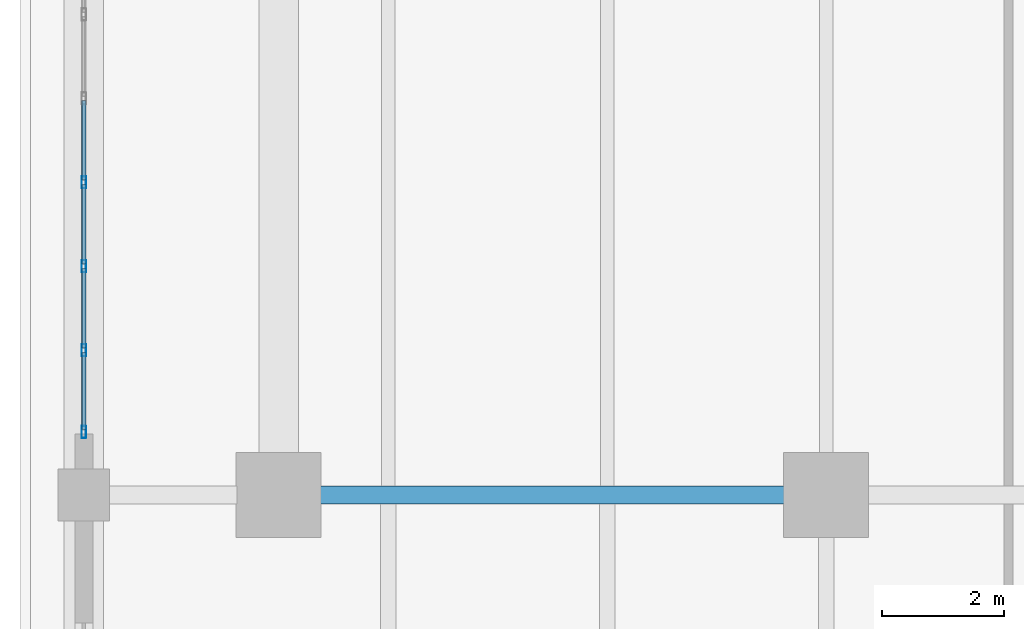
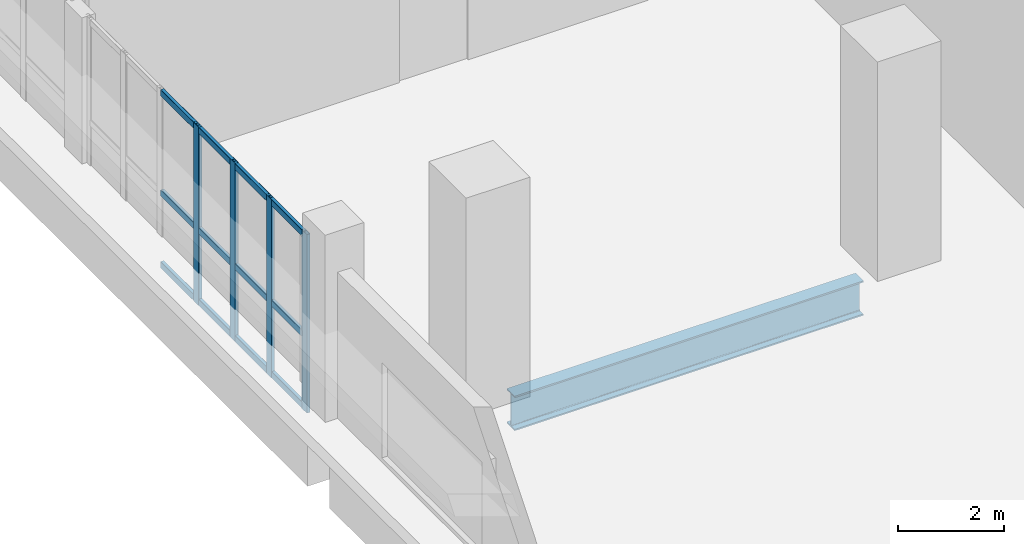
# One storey, part 4 of 25: 16 members, 1 beam, 1 element without a shape of its own.
"""IFC4 building model written with IfcOpenShell, lengths in metres."""

from ifc_helpers import new_model, si_unit, direction, frame, origin, origin_2d, place, context, subcontext, project, spatial, hollow_rectangle, i_section, extrude, material, layer, layer_set, material_profile, profile_set, type_object, element, aggregate, save


model = new_model("IFC4")

# Units and contexts
model_context = context("Model", 3, precision=1e-05, world=origin(), true_north=direction((0.0, 1.0)))
body_context = subcontext(model_context, "Body", "Model", "MODEL_VIEW")
ifc_project = project(units=[si_unit("LENGTHUNIT", "METRE"), si_unit("AREAUNIT", "SQUARE_METRE"), si_unit("VOLUMEUNIT", "CUBIC_METRE"), si_unit("PLANEANGLEUNIT", "RADIAN"), si_unit("MASSUNIT", "GRAM", prefix="KILO")], contexts=[model_context])

# Site, building, storey
site_placement = place(None, origin())
site = spatial("IfcSite", under=ifc_project, at=site_placement, CompositionType="ELEMENT")
building_placement = place(site_placement, origin())
building = spatial("IfcBuilding", under=site, at=building_placement, Name="Kaelvorn Grand Hotel", CompositionType="ELEMENT")
storey_placement = place(building_placement, frame((0.0, 0.0, 14.0)))
storey = spatial("IfcBuildingStorey", under=building, at=storey_placement, Name="L02", CompositionType="ELEMENT", Elevation=14.0)

# Beam
ifc_material_1 = material(Name="Steel S355", Category="steel")
ifc_material_profile_1 = material_profile(ifc_material_1, i_section(OverallWidth=0.300048828125, OverallDepth=0.800048828125, WebThickness=0.017578125, FlangeThickness=0.032958984375, FilletRadius=0.030029296875, at=origin_2d()), Name="HEB 800")
ifc_profile_set_1 = profile_set([ifc_material_profile_1], Name="Steel S355")
beam_type = type_object("IfcBeamType", Name="BM-G-HEB800-S355", PredefinedType="BEAM", material=ifc_profile_set_1)
beam_placement = place(storey_placement, frame((0.68505859375, 15.0, -0.719970703125), z_axis=(1.0, 0.0, 0.0), x_axis=(0.0, 1.0, 0.0)))
element("IfcBeam", 1, at=beam_placement, inside=storey, type_object=beam_type, Name="L02 Primary Spine Steel Girder G-15 02", PredefinedType="BEAM", context=body_context, shape_type="SweptSolid", body=[
    extrude(i_section(OverallWidth=0.300048828125, OverallDepth=0.800048828125, WebThickness=0.017578125, FlangeThickness=0.032958984375, FilletRadius=0.030029296875, at=origin_2d()), origin(), (0.0, 0.0, 1.0), 7.6298828125),
])

# Curtain wall, members
ifc_material_2 = material(Name="Anodised Aluminium", Category="aluminium")
ifc_layer = layer(ifc_material_2, 0.199951171875)
ifc_layer_set = layer_set([ifc_layer], Name="Anodised Aluminium")
curtain_wall_type = type_object("IfcCurtainWallType", Name="CW-SYS2", PredefinedType="NOTDEFINED", material=ifc_layer_set)
curtain_wall_placement = place(storey_placement, origin())
curtain_wall = element("IfcCurtainWall", 2, at=curtain_wall_placement, inside=storey, type_object=curtain_wall_type, Name="L02 Unitised Curtain Wall CW2 (CW-L02-W-01)", PredefinedType="NOTDEFINED")
ifc_material_profile_2 = material_profile(ifc_material_2, hollow_rectangle(XDim=0.074951171875, YDim=0.199951171875, WallThickness=0.00390625, InnerFilletRadius=0.00390625, OuterFilletRadius=0.008056640625, at=origin_2d()), Name="ALU MULL 75x200")
ifc_profile_set_2 = profile_set([ifc_material_profile_2], Name="Anodised Aluminium")
member_type_1 = type_object("IfcMemberType", Name="CW-SYS2-MULL", PredefinedType="MULLION", material=ifc_profile_set_2)
member_1_placement = place(storey_placement, frame((-3.199951171875, 20.139892578125, 0.0), z_axis=(0.0, 0.0, 1.0), x_axis=(1.0, 0.0, 0.0)))
member_1 = element("IfcMember", 3, at=member_1_placement, type_object=member_type_1, Name="CW2 mullion 4", PredefinedType="MULLION", context=body_context, shape_type="SweptSolid", body=[
    extrude(hollow_rectangle(XDim=0.074951171875, YDim=0.199951171875, WallThickness=0.00390625, InnerFilletRadius=0.00390625, OuterFilletRadius=0.008056640625, at=origin_2d()), origin(), (0.0, 0.0, 1.0), 4.1298828125),
])
member_2_placement = place(storey_placement, frame((-3.199951171875, 18.760009765625, 0.0), z_axis=(0.0, 0.0, 1.0), x_axis=(1.0, 0.0, 0.0)))
member_2 = element("IfcMember", 4, at=member_2_placement, type_object=member_type_1, Name="CW2 mullion 5", PredefinedType="MULLION", context=body_context, shape_type="SweptSolid", body=[
    extrude(hollow_rectangle(XDim=0.074951171875, YDim=0.199951171875, WallThickness=0.00390625, InnerFilletRadius=0.00390625, OuterFilletRadius=0.008056640625, at=origin_2d()), origin(), (0.0, 0.0, 1.0), 4.1298828125),
])
member_3_placement = place(storey_placement, frame((-3.199951171875, 17.3798828125, 0.0), z_axis=(0.0, 0.0, 1.0), x_axis=(1.0, 0.0, 0.0)))
member_3 = element("IfcMember", 5, at=member_3_placement, type_object=member_type_1, Name="CW2 mullion 6", PredefinedType="MULLION", context=body_context, shape_type="SweptSolid", body=[
    extrude(hollow_rectangle(XDim=0.074951171875, YDim=0.199951171875, WallThickness=0.00390625, InnerFilletRadius=0.00390625, OuterFilletRadius=0.008056640625, at=origin_2d()), origin(), (0.0, 0.0, 1.0), 4.1298828125),
])
member_4_placement = place(storey_placement, frame((-3.199951171875, 16.03759765625, 0.0), z_axis=(0.0, 0.0, 1.0), x_axis=(1.0, 0.0, 0.0)))
member_4 = element("IfcMember", 6, at=member_4_placement, type_object=member_type_1, Name="CW2 mullion 7", PredefinedType="MULLION", context=body_context, shape_type="SweptSolid", body=[
    extrude(hollow_rectangle(XDim=0.074951171875, YDim=0.199951171875, WallThickness=0.00390625, InnerFilletRadius=0.00390625, OuterFilletRadius=0.008056640625, at=origin_2d()), origin(), (0.0, 0.0, 1.0), 4.1298828125),
])
ifc_material_profile_3 = material_profile(ifc_material_2, hollow_rectangle(XDim=0.074951171875, YDim=0.14990234375, WallThickness=0.00390625, InnerFilletRadius=0.00390625, OuterFilletRadius=0.008056640625, at=origin_2d()), Name="ALU TRAN 75x150")
ifc_profile_set_3 = profile_set([ifc_material_profile_3], Name="Anodised Aluminium")
member_type_2 = type_object("IfcMemberType", Name="CW-SYS2-TRAN", PredefinedType="NOTDEFINED", material=ifc_profile_set_3)
member_5_placement = place(storey_placement, frame((-3.199951171875, 21.482421875, 0.074951171875), z_axis=(0.0, -1.0, 0.0), x_axis=(1.0, 0.0, 0.0)))
member_5 = element("IfcMember", 7, at=member_5_placement, type_object=member_type_2, Name="CW2 transom 3.1", ObjectType="TRANSOM", PredefinedType="USERDEFINED", context=body_context, shape_type="SweptSolid", body=[
    extrude(hollow_rectangle(XDim=0.074951171875, YDim=0.14990234375, WallThickness=0.00390625, InnerFilletRadius=0.00390625, OuterFilletRadius=0.008056640625, at=origin_2d()), origin(), (0.0, 0.0, 1.0), 1.304931640625),
])
member_6_placement = place(storey_placement, frame((-3.199951171875, 21.482421875, 1.734619140625), z_axis=(0.0, -1.0, 0.0), x_axis=(1.0, 0.0, 0.0)))
member_6 = element("IfcMember", 8, at=member_6_placement, type_object=member_type_2, Name="CW2 transom 3.2", ObjectType="TRANSOM", PredefinedType="USERDEFINED", context=body_context, shape_type="SweptSolid", body=[
    extrude(hollow_rectangle(XDim=0.074951171875, YDim=0.14990234375, WallThickness=0.00390625, InnerFilletRadius=0.00390625, OuterFilletRadius=0.008056640625, at=origin_2d()), origin(), (0.0, 0.0, 1.0), 1.304931640625),
])
member_7_placement = place(storey_placement, frame((-3.199951171875, 21.482421875, 4.054931640625), z_axis=(0.0, -1.0, 0.0), x_axis=(1.0, 0.0, 0.0)))
member_7 = element("IfcMember", 9, at=member_7_placement, type_object=member_type_2, Name="CW2 transom 3.3", ObjectType="TRANSOM", PredefinedType="USERDEFINED", context=body_context, shape_type="SweptSolid", body=[
    extrude(hollow_rectangle(XDim=0.074951171875, YDim=0.14990234375, WallThickness=0.00390625, InnerFilletRadius=0.00390625, OuterFilletRadius=0.008056640625, at=origin_2d()), origin(), (0.0, 0.0, 1.0), 1.304931640625),
])
member_8_placement = place(storey_placement, frame((-3.199951171875, 20.1025390625, 0.074951171875), z_axis=(0.0, -1.0, 0.0), x_axis=(1.0, 0.0, 0.0)))
member_8 = element("IfcMember", 10, at=member_8_placement, type_object=member_type_2, Name="CW2 transom 4.1", ObjectType="TRANSOM", PredefinedType="USERDEFINED", context=body_context, shape_type="SweptSolid", body=[
    extrude(hollow_rectangle(XDim=0.074951171875, YDim=0.14990234375, WallThickness=0.00390625, InnerFilletRadius=0.00390625, OuterFilletRadius=0.008056640625, at=origin_2d()), origin(), (0.0, 0.0, 1.0), 1.304931640625),
])
member_9_placement = place(storey_placement, frame((-3.199951171875, 20.1025390625, 1.734619140625), z_axis=(0.0, -1.0, 0.0), x_axis=(1.0, 0.0, 0.0)))
member_9 = element("IfcMember", 11, at=member_9_placement, type_object=member_type_2, Name="CW2 transom 4.2", ObjectType="TRANSOM", PredefinedType="USERDEFINED", context=body_context, shape_type="SweptSolid", body=[
    extrude(hollow_rectangle(XDim=0.074951171875, YDim=0.14990234375, WallThickness=0.00390625, InnerFilletRadius=0.00390625, OuterFilletRadius=0.008056640625, at=origin_2d()), origin(), (0.0, 0.0, 1.0), 1.304931640625),
])
member_10_placement = place(storey_placement, frame((-3.199951171875, 20.1025390625, 4.054931640625), z_axis=(0.0, -1.0, 0.0), x_axis=(1.0, 0.0, 0.0)))
member_10 = element("IfcMember", 12, at=member_10_placement, type_object=member_type_2, Name="CW2 transom 4.3", ObjectType="TRANSOM", PredefinedType="USERDEFINED", context=body_context, shape_type="SweptSolid", body=[
    extrude(hollow_rectangle(XDim=0.074951171875, YDim=0.14990234375, WallThickness=0.00390625, InnerFilletRadius=0.00390625, OuterFilletRadius=0.008056640625, at=origin_2d()), origin(), (0.0, 0.0, 1.0), 1.304931640625),
])
member_11_placement = place(storey_placement, frame((-3.199951171875, 18.722412109375, 0.074951171875), z_axis=(0.0, -1.0, 0.0), x_axis=(1.0, 0.0, 0.0)))
member_11 = element("IfcMember", 13, at=member_11_placement, type_object=member_type_2, Name="CW2 transom 5.1", ObjectType="TRANSOM", PredefinedType="USERDEFINED", context=body_context, shape_type="SweptSolid", body=[
    extrude(hollow_rectangle(XDim=0.074951171875, YDim=0.14990234375, WallThickness=0.00390625, InnerFilletRadius=0.00390625, OuterFilletRadius=0.008056640625, at=origin_2d()), origin(), (0.0, 0.0, 1.0), 1.304931640625),
])
member_12_placement = place(storey_placement, frame((-3.199951171875, 18.722412109375, 1.734619140625), z_axis=(0.0, -1.0, 0.0), x_axis=(1.0, 0.0, 0.0)))
member_12 = element("IfcMember", 14, at=member_12_placement, type_object=member_type_2, Name="CW2 transom 5.2", ObjectType="TRANSOM", PredefinedType="USERDEFINED", context=body_context, shape_type="SweptSolid", body=[
    extrude(hollow_rectangle(XDim=0.074951171875, YDim=0.14990234375, WallThickness=0.00390625, InnerFilletRadius=0.00390625, OuterFilletRadius=0.008056640625, at=origin_2d()), origin(), (0.0, 0.0, 1.0), 1.304931640625),
])
member_13_placement = place(storey_placement, frame((-3.199951171875, 18.722412109375, 4.054931640625), z_axis=(0.0, -1.0, 0.0), x_axis=(1.0, 0.0, 0.0)))
member_13 = element("IfcMember", 15, at=member_13_placement, type_object=member_type_2, Name="CW2 transom 5.3", ObjectType="TRANSOM", PredefinedType="USERDEFINED", context=body_context, shape_type="SweptSolid", body=[
    extrude(hollow_rectangle(XDim=0.074951171875, YDim=0.14990234375, WallThickness=0.00390625, InnerFilletRadius=0.00390625, OuterFilletRadius=0.008056640625, at=origin_2d()), origin(), (0.0, 0.0, 1.0), 1.304931640625),
])
member_14_placement = place(storey_placement, frame((-3.199951171875, 17.342529296875, 0.074951171875), z_axis=(0.0, -1.0, 0.0), x_axis=(1.0, 0.0, 0.0)))
member_14 = element("IfcMember", 16, at=member_14_placement, type_object=member_type_2, Name="CW2 transom 6.1", ObjectType="TRANSOM", PredefinedType="USERDEFINED", context=body_context, shape_type="SweptSolid", body=[
    extrude(hollow_rectangle(XDim=0.074951171875, YDim=0.14990234375, WallThickness=0.00390625, InnerFilletRadius=0.00390625, OuterFilletRadius=0.008056640625, at=origin_2d()), origin(), (0.0, 0.0, 1.0), 1.267578125),
])
member_15_placement = place(storey_placement, frame((-3.199951171875, 17.342529296875, 1.734619140625), z_axis=(0.0, -1.0, 0.0), x_axis=(1.0, 0.0, 0.0)))
member_15 = element("IfcMember", 17, at=member_15_placement, type_object=member_type_2, Name="CW2 transom 6.2", ObjectType="TRANSOM", PredefinedType="USERDEFINED", context=body_context, shape_type="SweptSolid", body=[
    extrude(hollow_rectangle(XDim=0.074951171875, YDim=0.14990234375, WallThickness=0.00390625, InnerFilletRadius=0.00390625, OuterFilletRadius=0.008056640625, at=origin_2d()), origin(), (0.0, 0.0, 1.0), 1.267578125),
])
member_16_placement = place(storey_placement, frame((-3.199951171875, 17.342529296875, 4.054931640625), z_axis=(0.0, -1.0, 0.0), x_axis=(1.0, 0.0, 0.0)))
member_16 = element("IfcMember", 18, at=member_16_placement, type_object=member_type_2, Name="CW2 transom 6.3", ObjectType="TRANSOM", PredefinedType="USERDEFINED", context=body_context, shape_type="SweptSolid", body=[
    extrude(hollow_rectangle(XDim=0.074951171875, YDim=0.14990234375, WallThickness=0.00390625, InnerFilletRadius=0.00390625, OuterFilletRadius=0.008056640625, at=origin_2d()), origin(), (0.0, 0.0, 1.0), 1.267578125),
])
aggregate(curtain_wall, [member_1, member_2, member_3, member_4, member_5, member_6, member_7, member_8, member_9, member_10, member_11, member_12, member_13, member_14, member_15, member_16])

save(model, "model.ifc")
